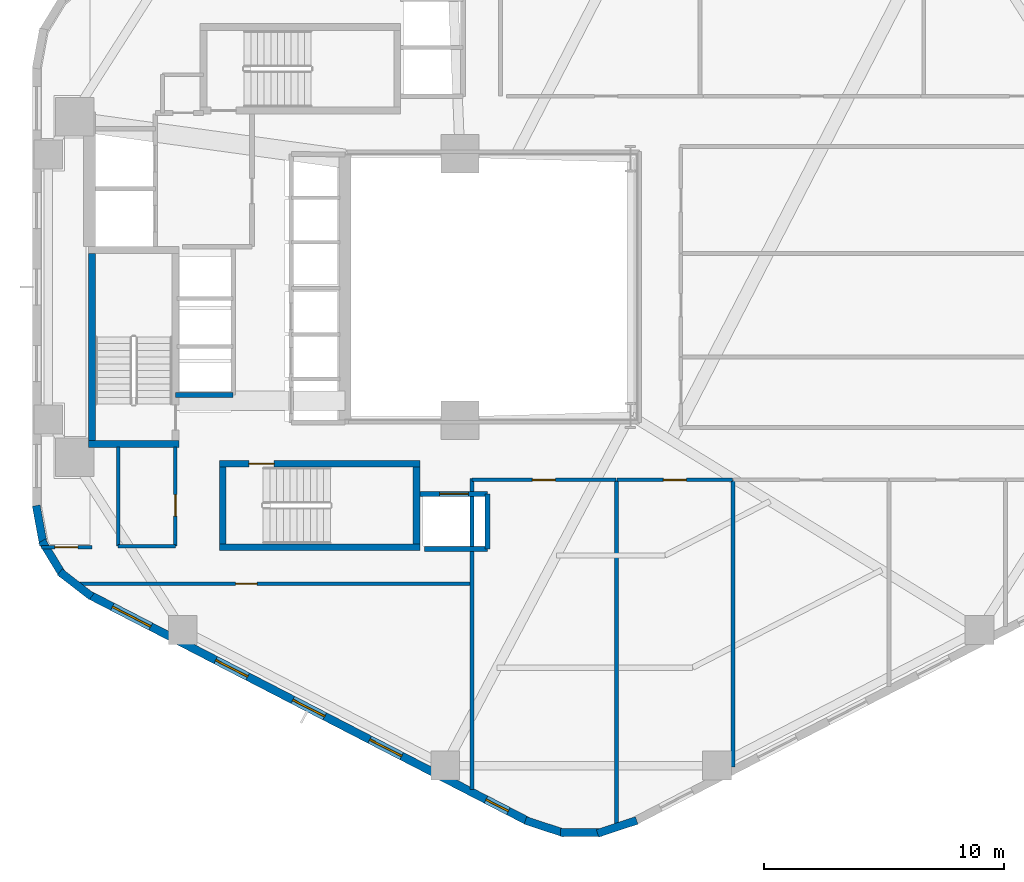
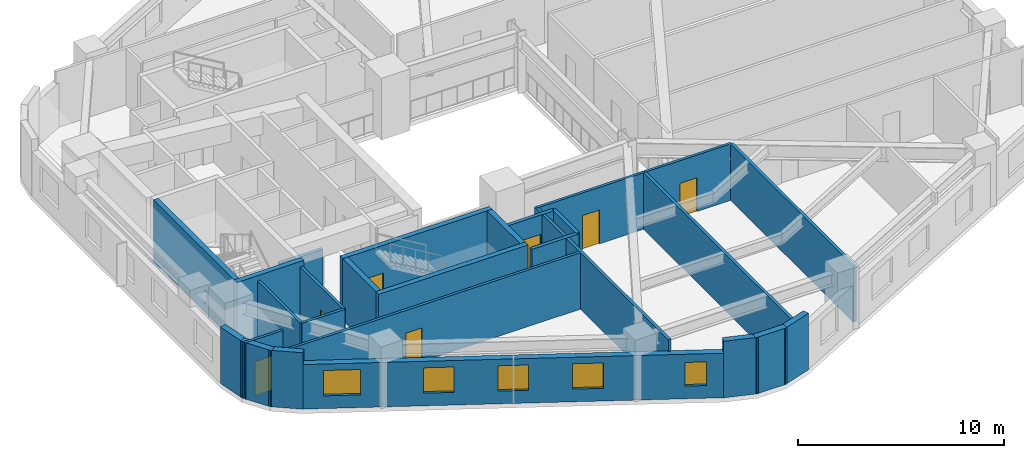
# One storey, part 2 of 6: 27 walls, 7 doors, 5 windows, 12 openings.
"""IFC4 building model written with IfcOpenShell, lengths in metres."""

from ifc_helpers import new_model, si_unit, direction, frame, frame_2d, origin, place, context, subcontext, project, spatial, rectangle, extrude, material, layer, layer_set, type_object, element, fill, save


model = new_model("IFC4")

# Units and contexts
model_context = context("Model", 3, precision=1e-05, world=origin(), true_north=direction((0.0, 1.0)))
body_context = subcontext(model_context, "Body", "Model", "MODEL_VIEW")
ifc_project = project(units=[si_unit("LENGTHUNIT", "METRE"), si_unit("AREAUNIT", "SQUARE_METRE"), si_unit("VOLUMEUNIT", "CUBIC_METRE"), si_unit("PLANEANGLEUNIT", "RADIAN"), si_unit("MASSUNIT", "GRAM", prefix="KILO"), si_unit("THERMODYNAMICTEMPERATUREUNIT", "KELVIN"), si_unit("POWERUNIT", "WATT")], contexts=[model_context])

# Site, building, storey
site_placement = place(None, origin())
site = spatial("IfcSite", under=ifc_project, at=site_placement, CompositionType="ELEMENT")
building_placement = place(site_placement, origin())
building = spatial("IfcBuilding", under=site, at=building_placement, Name="Skarre Station Tower", CompositionType="ELEMENT")
storey_placement = place(building_placement, frame((0.0, 0.0, 92.699951171875)))
storey = spatial("IfcBuildingStorey", under=building, at=storey_placement, Name="L24", CompositionType="ELEMENT", Elevation=92.699951171875)

# Walls
ifc_material_1 = material(Name="Acoustic Steel-Stud Gypsum Partition", Category="steel")
ifc_layer_1 = layer(ifc_material_1, 0.14990234375, Name="Acoustic Steel-Stud Gypsum Partition")
ifc_layer_set_1 = layer_set([ifc_layer_1], Name="Acoustic Steel-Stud Gypsum Partition")
wall_type_1 = type_object("IfcWallType", Name="Fire-Rated Corridor Acoustic Partition 150", PredefinedType="PARTITIONING", material=ifc_layer_set_1)
wall_1_placement = place(storey_placement, frame((18.10009765625, 17.340087890625, 0.0), z_axis=(0.0, 0.0, 1.0), x_axis=(0.0, -1.0, 0.0)))
element("IfcWall", 1, at=wall_1_placement, inside=storey, type_object=wall_type_1, Name="L24 Interior Partition WL-PT-L24-CSVC-W", PredefinedType="PARTITIONING", context=body_context, shape_type="SweptSolid", body=[
    extrude(rectangle(XDim=4.14013671875, YDim=0.14990234375, at=frame_2d((2.070068359375, 0.0))), origin(), (0.0, 0.0, 1.0), 3.340087890625),
])
wall_2_placement = place(storey_placement, frame((18.10009765625, 13.199951171875, 0.0), z_axis=(0.0, 0.0, 1.0), x_axis=(1.0, 0.0, 0.0)))
element("IfcWall", 2, at=wall_2_placement, inside=storey, type_object=wall_type_1, Name="L24 Interior Partition WL-PT-L24-CSVC-S", PredefinedType="PARTITIONING", context=body_context, shape_type="SweptSolid", body=[
    extrude(rectangle(XDim=2.389892578125, YDim=0.14990234375, at=frame_2d((1.19482421875, 0.0))), origin(), (0.0, 0.0, 1.0), 3.340087890625),
])

# Wall, opening, door
wall_3_placement = place(storey_placement, frame((20.489990234375, 13.199951171875, 0.0), z_axis=(0.0, 0.0, 1.0), x_axis=(0.0, 1.0, 0.0)))
wall_3 = element("IfcWall", 3, at=wall_3_placement, inside=storey, type_object=wall_type_1, Name="L24 Interior Partition WL-PT-L24-CSVC-E", PredefinedType="PARTITIONING", context=body_context, shape_type="SweptSolid", body=[
    extrude(rectangle(XDim=4.14013671875, YDim=0.14990234375, at=frame_2d((2.070068359375, 0.0))), origin(), (0.0, 0.0, 1.0), 3.340087890625),
])
opening_1_placement = place(wall_3_placement, frame((1.25, 0.0, 0.0)))
opening_1 = element("IfcOpeningElement", 4, at=opening_1_placement, cuts=wall_3, Name="Opening DR-SVC90", PredefinedType="OPENING", context=body_context, shape_type="SweptSolid", body=[
    extrude(rectangle(XDim=0.89990234375, YDim=2.0, at=frame_2d((0.449951171875, 1.0))), frame((0.0, 0.0849609375, 0.0), z_axis=(0.0, -1.0, 0.0), x_axis=(1.0, 0.0, 0.0)), (0.0, 0.0, 1.0), 0.169921875),
])
ifc_material_2 = material(Name="Powder-Coated Hollow-Metal Acoustic Fire Leaf", Category="steel")
door_type_1 = type_object("IfcDoorType", Name="Service & Riser Fire Door FD60 900x2100", OperationType="SINGLE_SWING_LEFT", PredefinedType="DOOR", material=ifc_material_2)
door_1_placement = place(opening_1_placement, origin())
door_1 = element("IfcDoor", 5, at=door_1_placement, inside=storey, type_object=door_type_1, Name="L24 Core Pantry Door", OperationType="SINGLE_SWING_LEFT", OverallHeight=2.0, OverallWidth=0.89990234375, PredefinedType="DOOR", context=body_context, shape_type="SweptSolid", body=[
    extrude(rectangle(XDim=0.89990234375, YDim=2.0, at=frame_2d((0.449951171875, 1.0))), frame((0.0, 0.02490234375, 0.0), z_axis=(0.0, -1.0, 0.0), x_axis=(1.0, 0.0, 0.0)), (0.0, 0.0, 1.0), 0.050048828125),
])
fill(opening_1, door_1)

wall_4_placement = place(storey_placement, frame((16.487060546875, 11.639892578125, 0.0), z_axis=(0.0, 0.0, 1.0), x_axis=(1.0, 0.0, 0.0)))
wall_4 = element("IfcWall", 6, at=wall_4_placement, inside=storey, type_object=wall_type_1, Name="L24 Interior Partition WL-PT-L24-SWP-N", PredefinedType="PARTITIONING", context=body_context, shape_type="SweptSolid", body=[
    extrude(rectangle(XDim=16.363037109375, YDim=0.14990234375, at=frame_2d((8.181640625, 0.0))), origin(), (0.0, 0.0, 1.0), 3.340087890625),
])
opening_2_placement = place(wall_4_placement, frame((6.512939453125, 0.0, 0.0)))
opening_2 = element("IfcOpeningElement", 7, at=opening_2_placement, cuts=wall_4, Name="Opening DR-SVC90", PredefinedType="OPENING", context=body_context, shape_type="SweptSolid", body=[
    extrude(rectangle(XDim=0.89990234375, YDim=2.0, at=frame_2d((0.449951171875, 1.0))), frame((0.0, 0.0849609375, 0.0), z_axis=(0.0, -1.0, 0.0), x_axis=(1.0, 0.0, 0.0)), (0.0, 0.0, 1.0), 0.169921875),
])
door_2_placement = place(opening_2_placement, origin())
door_2 = element("IfcDoor", 8, at=door_2_placement, inside=storey, type_object=door_type_1, Name="L24 Floor Public Toilets Door", OperationType="SINGLE_SWING_LEFT", OverallHeight=2.0, OverallWidth=0.89990234375, PredefinedType="DOOR", context=body_context, shape_type="SweptSolid", body=[
    extrude(rectangle(XDim=0.89990234375, YDim=2.0, at=frame_2d((0.449951171875, 1.0))), frame((0.0, 0.02490234375, 0.0), z_axis=(0.0, -1.0, 0.0), x_axis=(1.0, 0.0, 0.0)), (0.0, 0.0, 1.0), 0.050048828125),
])
fill(opening_2, door_2)

wall_5_placement = place(storey_placement, frame((17.02001953125, 13.159912109375, 0.0), z_axis=(0.0, 0.0, 1.0), x_axis=(-1.0, 0.0, 0.0)))
wall_5 = element("IfcWall", 9, at=wall_5_placement, inside=storey, type_object=wall_type_1, Name="L24 Interior Partition WL-PT-L24-WW1-CW", PredefinedType="PARTITIONING", context=body_context, shape_type="SweptSolid", body=[
    extrude(rectangle(XDim=2.1201171875, YDim=0.14990234375, at=frame_2d((1.06005859375, 0.0))), origin(), (0.0, 0.0, 1.0), 3.340087890625),
])
opening_3_placement = place(wall_5_placement, frame((0.596923828125, 0.0, 0.0)))
opening_3 = element("IfcOpeningElement", 10, at=opening_3_placement, cuts=wall_5, Name="Opening DR-FD60", PredefinedType="OPENING", context=body_context, shape_type="SweptSolid", body=[
    extrude(rectangle(XDim=0.9599609375, YDim=2.0, at=frame_2d((0.47998046875, 1.0))), frame((0.0, 0.0849609375, 0.0), z_axis=(0.0, -1.0, 0.0), x_axis=(1.0, 0.0, 0.0)), (0.0, 0.0, 1.0), 0.169921875),
])
ifc_material_3 = material(Name="Nordic White-Oak Veneer Solid-Core Fire Leaf", Category="wood")
door_type_2 = type_object("IfcDoorType", Name="Corridor Suite Entry Fire Door FD60 960x2150", OperationType="SINGLE_SWING_LEFT", PredefinedType="DOOR", material=ifc_material_3)
door_3_placement = place(opening_3_placement, origin())
door_3 = element("IfcDoor", 11, at=door_3_placement, inside=storey, type_object=door_type_2, Name="L24 WW1 Entry Door", OperationType="SINGLE_SWING_LEFT", OverallHeight=2.0, OverallWidth=0.9599609375, PredefinedType="DOOR", context=body_context, shape_type="SweptSolid", body=[
    extrude(rectangle(XDim=0.9599609375, YDim=2.0, at=frame_2d((0.47998046875, 1.0))), frame((0.0, 0.02490234375, 0.0), z_axis=(0.0, -1.0, 0.0), x_axis=(1.0, 0.0, 0.0)), (0.0, 0.0, 1.0), 0.050048828125),
])
fill(opening_3, door_3)

wall_6_placement = place(storey_placement, frame((32.85009765625, 15.9599609375, 0.0), z_axis=(0.0, 0.0, 1.0), x_axis=(1.0, 0.0, 0.0)))
wall_6 = element("IfcWall", 12, at=wall_6_placement, inside=storey, type_object=wall_type_1, Name="L24 Interior Partition WL-PT-L24-SW1-CW", PredefinedType="PARTITIONING", context=body_context, shape_type="SweptSolid", body=[
    extrude(rectangle(XDim=6.0009765625, YDim=0.14990234375, at=frame_2d((3.00048828125, 0.0))), origin(), (0.0, 0.0, 1.0), 3.340087890625),
])
opening_4_placement = place(wall_6_placement, frame((2.52099609375, 0.0, 0.0)))
opening_4 = element("IfcOpeningElement", 13, at=opening_4_placement, cuts=wall_6, Name="Opening DR-FD60", PredefinedType="OPENING", context=body_context, shape_type="SweptSolid", body=[
    extrude(rectangle(XDim=0.9599609375, YDim=2.0, at=frame_2d((0.47998046875, 1.0))), frame((0.0, 0.0849609375, 0.0), z_axis=(0.0, -1.0, 0.0), x_axis=(1.0, 0.0, 0.0)), (0.0, 0.0, 1.0), 0.169921875),
])
door_4_placement = place(opening_4_placement, origin())
door_4 = element("IfcDoor", 14, at=door_4_placement, inside=storey, type_object=door_type_2, Name="L24 SW1 Entry Door", OperationType="SINGLE_SWING_LEFT", OverallHeight=2.0, OverallWidth=0.9599609375, PredefinedType="DOOR", context=body_context, shape_type="SweptSolid", body=[
    extrude(rectangle(XDim=0.9599609375, YDim=2.0, at=frame_2d((0.47998046875, 1.0))), frame((0.0, 0.02490234375, 0.0), z_axis=(0.0, -1.0, 0.0), x_axis=(1.0, 0.0, 0.0)), (0.0, 0.0, 1.0), 0.050048828125),
])
fill(opening_4, door_4)

wall_7_placement = place(storey_placement, frame((38.886962890625, 15.9599609375, 0.0), z_axis=(0.0, 0.0, 1.0), x_axis=(1.0, 0.0, 0.0)))
wall_7 = element("IfcWall", 15, at=wall_7_placement, inside=storey, type_object=wall_type_1, Name="L24 Interior Partition WL-PT-L24-SW2-CW", PredefinedType="PARTITIONING", context=body_context, shape_type="SweptSolid", body=[
    extrude(rectangle(XDim=4.83203125, YDim=0.14990234375, at=frame_2d((2.416015625, 0.0))), origin(), (0.0, 0.0, 1.0), 3.340087890625),
])
opening_5_placement = place(wall_7_placement, frame((1.93603515625, 0.0, 0.0)))
opening_5 = element("IfcOpeningElement", 16, at=opening_5_placement, cuts=wall_7, Name="Opening DR-FD60", PredefinedType="OPENING", context=body_context, shape_type="SweptSolid", body=[
    extrude(rectangle(XDim=0.9599609375, YDim=2.0, at=frame_2d((0.47998046875, 1.0))), frame((0.0, 0.0849609375, 0.0), z_axis=(0.0, -1.0, 0.0), x_axis=(1.0, 0.0, 0.0)), (0.0, 0.0, 1.0), 0.169921875),
])
door_5_placement = place(opening_5_placement, origin())
door_5 = element("IfcDoor", 17, at=door_5_placement, inside=storey, type_object=door_type_2, Name="L24 SW2 Entry Door", OperationType="SINGLE_SWING_LEFT", OverallHeight=2.0, OverallWidth=0.9599609375, PredefinedType="DOOR", context=body_context, shape_type="SweptSolid", body=[
    extrude(rectangle(XDim=0.9599609375, YDim=2.0, at=frame_2d((0.47998046875, 1.0))), frame((0.0, 0.02490234375, 0.0), z_axis=(0.0, -1.0, 0.0), x_axis=(1.0, 0.0, 0.0)), (0.0, 0.0, 1.0), 0.050048828125),
])
fill(opening_5, door_5)

# Wall, openings, windows
ifc_material_4 = material(Name="Precast concrete C45/55", Category="concrete")
ifc_layer_2 = layer(ifc_material_4, 0.340087890625, Name="Precast concrete C45/55")
ifc_layer_set_2 = layer_set([ifc_layer_2], Name="Precast concrete C45/55")
wall_type_2 = type_object("IfcWallType", Name="Nordic Honed Precast Facet Wall 340", PredefinedType="STANDARD", material=ifc_layer_set_2)
wall_8_placement = place(storey_placement, frame((35.1689453125, 1.742919921875, 0.0), z_axis=(0.0, 0.0, 1.0), x_axis=(-0.888634413993, 0.458616264721, 0.0)))
wall_8 = element("IfcWall", 18, at=wall_8_placement, inside=storey, type_object=wall_type_2, Name="L24 Facet 3 Nordic Precast Masonry Wall", PredefinedType="STANDARD", context=body_context, shape_type="SweptSolid", body=[
    extrude(rectangle(XDim=20.53125, YDim=0.340087890625, at=frame_2d((10.265625, 0.0))), origin(), (0.0, 0.0, 1.0), 2.634033203125),
])
opening_6_placement = place(wall_8_placement, frame((0.902099609375, 0.0, 0.75)))
opening_6 = element("IfcOpeningElement", 19, at=opening_6_placement, cuts=wall_8, Name="Opening WN-SLT", PredefinedType="OPENING", context=body_context, shape_type="SweptSolid", body=[
    extrude(rectangle(XDim=1.050048828125, YDim=1.39990234375, at=frame_2d((0.52490234375, 0.699951171875))), frame((0.0, 0.179931640625, 0.0), z_axis=(0.0, -1.0, 0.0), x_axis=(1.0, 0.0, 0.0)), (0.0, 0.0, 1.0), 0.360107421875),
])
opening_7_placement = place(wall_8_placement, frame((5.903076171875, 0.0, 0.75)))
opening_7 = element("IfcOpeningElement", 20, at=opening_7_placement, cuts=wall_8, Name="Opening WN-Z1B", PredefinedType="OPENING", context=body_context, shape_type="SweptSolid", body=[
    extrude(rectangle(XDim=1.5, YDim=1.5, at=frame_2d((0.75, 0.75))), frame((0.0, 0.179931640625, 0.0), z_axis=(0.0, -1.0, 0.0), x_axis=(1.0, 0.0, 0.0)), (0.0, 0.0, 1.0), 0.360107421875),
])
opening_8_placement = place(wall_8_placement, frame((9.51611328125, 0.0, 0.75)))
opening_8 = element("IfcOpeningElement", 21, at=opening_8_placement, cuts=wall_8, Name="Opening WN-Z1B", PredefinedType="OPENING", context=body_context, shape_type="SweptSolid", body=[
    extrude(rectangle(XDim=1.5, YDim=1.5, at=frame_2d((0.75, 0.75))), frame((0.0, 0.179931640625, 0.0), z_axis=(0.0, -1.0, 0.0), x_axis=(1.0, 0.0, 0.0)), (0.0, 0.0, 1.0), 0.360107421875),
])
opening_9_placement = place(wall_8_placement, frame((13.12890625, 0.0, 0.75)))
opening_9 = element("IfcOpeningElement", 22, at=opening_9_placement, cuts=wall_8, Name="Opening WN-Z1B", PredefinedType="OPENING", context=body_context, shape_type="SweptSolid", body=[
    extrude(rectangle(XDim=1.5, YDim=1.5, at=frame_2d((0.75, 0.75))), frame((0.0, 0.179931640625, 0.0), z_axis=(0.0, -1.0, 0.0), x_axis=(1.0, 0.0, 0.0)), (0.0, 0.0, 1.0), 0.360107421875),
])
opening_10_placement = place(wall_8_placement, frame((17.673095703125, 0.0, 0.75)))
opening_10 = element("IfcOpeningElement", 23, at=opening_10_placement, cuts=wall_8, Name="Opening WN-Z1A", PredefinedType="OPENING", context=body_context, shape_type="SweptSolid", body=[
    extrude(rectangle(XDim=1.800048828125, YDim=1.5, at=frame_2d((0.89990234375, 0.75))), frame((0.0, 0.179931640625, 0.0), z_axis=(0.0, -1.0, 0.0), x_axis=(1.0, 0.0, 0.0)), (0.0, 0.0, 1.0), 0.360107421875),
])
ifc_material_5 = material(Name="Low-Iron Triple Glazing with Bronze Anodized Frame", Category="glass")
window_type_1 = type_object("IfcWindowType", Name="Nordic Corner Slot Window 1050x1400", PartitioningType="SINGLE_PANEL", PredefinedType="WINDOW", material=ifc_material_5)
window_1_placement = place(opening_6_placement, origin())
window_1 = element("IfcWindow", 24, at=window_1_placement, inside=storey, type_object=window_type_1, Name="L24 Facade Window WL-FAC-L24-F3-1", OverallHeight=1.39990234375, OverallWidth=1.050048828125, PartitioningType="SINGLE_PANEL", PredefinedType="WINDOW", context=body_context, shape_type="SweptSolid", body=[
    extrude(rectangle(XDim=1.050048828125, YDim=1.39990234375, at=frame_2d((0.52490234375, 0.699951171875))), frame((0.0, 0.030029296875, 0.0), z_axis=(0.0, -1.0, 0.0), x_axis=(1.0, 0.0, 0.0)), (0.0, 0.0, 1.0), 0.06005859375),
])
fill(opening_6, window_1)
window_type_2 = type_object("IfcWindowType", Name="Nordic Punched Triple-Glazed Window 1500x1500", PartitioningType="SINGLE_PANEL", PredefinedType="WINDOW", material=ifc_material_5)
window_2_placement = place(opening_7_placement, origin())
window_2 = element("IfcWindow", 25, at=window_2_placement, inside=storey, type_object=window_type_2, Name="L24 Facade Window WL-FAC-L24-F3-2", OverallHeight=1.5, OverallWidth=1.5, PartitioningType="SINGLE_PANEL", PredefinedType="WINDOW", context=body_context, shape_type="SweptSolid", body=[
    extrude(rectangle(XDim=1.5, YDim=1.5, at=frame_2d((0.75, 0.75))), frame((0.0, 0.030029296875, 0.0), z_axis=(0.0, -1.0, 0.0), x_axis=(1.0, 0.0, 0.0)), (0.0, 0.0, 1.0), 0.06005859375),
])
fill(opening_7, window_2)
window_3_placement = place(opening_8_placement, origin())
window_3 = element("IfcWindow", 26, at=window_3_placement, inside=storey, type_object=window_type_2, Name="L24 Facade Window WL-FAC-L24-F3-3", OverallHeight=1.5, OverallWidth=1.5, PartitioningType="SINGLE_PANEL", PredefinedType="WINDOW", context=body_context, shape_type="SweptSolid", body=[
    extrude(rectangle(XDim=1.5, YDim=1.5, at=frame_2d((0.75, 0.75))), frame((0.0, 0.030029296875, 0.0), z_axis=(0.0, -1.0, 0.0), x_axis=(1.0, 0.0, 0.0)), (0.0, 0.0, 1.0), 0.06005859375),
])
fill(opening_8, window_3)
window_4_placement = place(opening_9_placement, origin())
window_4 = element("IfcWindow", 27, at=window_4_placement, inside=storey, type_object=window_type_2, Name="L24 Facade Window WL-FAC-L24-F3-4", OverallHeight=1.5, OverallWidth=1.5, PartitioningType="SINGLE_PANEL", PredefinedType="WINDOW", context=body_context, shape_type="SweptSolid", body=[
    extrude(rectangle(XDim=1.5, YDim=1.5, at=frame_2d((0.75, 0.75))), frame((0.0, 0.030029296875, 0.0), z_axis=(0.0, -1.0, 0.0), x_axis=(1.0, 0.0, 0.0)), (0.0, 0.0, 1.0), 0.06005859375),
])
fill(opening_9, window_4)
window_type_3 = type_object("IfcWindowType", Name="Nordic Punched Triple-Glazed Window 1800x1500", PartitioningType="SINGLE_PANEL", PredefinedType="WINDOW", material=ifc_material_5)
window_5_placement = place(opening_10_placement, origin())
window_5 = element("IfcWindow", 28, at=window_5_placement, inside=storey, type_object=window_type_3, Name="L24 Facade Window WL-FAC-L24-F3-5", OverallHeight=1.5, OverallWidth=1.800048828125, PartitioningType="SINGLE_PANEL", PredefinedType="WINDOW", context=body_context, shape_type="SweptSolid", body=[
    extrude(rectangle(XDim=1.800048828125, YDim=1.5, at=frame_2d((0.89990234375, 0.75))), frame((0.0, 0.030029296875, 0.0), z_axis=(0.0, -1.0, 0.0), x_axis=(1.0, 0.0, 0.0)), (0.0, 0.0, 1.0), 0.06005859375),
])
fill(opening_10, window_5)

# Walls
ifc_layer_3 = layer(ifc_material_4, 0.330078125, Name="Precast concrete C45/55")
ifc_layer_set_3 = layer_set([ifc_layer_3], Name="Precast concrete C45/55")
wall_type_3 = type_object("IfcWallType", Name="Nordic Rounded Corner Precast Wall 330", PredefinedType="STANDARD", material=ifc_layer_set_3)
wall_9_placement = place(storey_placement, frame((16.998046875, 11.09912109375, 0.0), z_axis=(0.0, 0.0, 1.0), x_axis=(-0.790691856293, 0.61221433207, 0.0)))
element("IfcWall", 29, at=wall_9_placement, inside=storey, type_object=wall_type_3, Name="L24 Rounded Corner Precast Wall F3-1", PredefinedType="STANDARD", context=body_context, shape_type="SweptSolid", body=[
    extrude(rectangle(XDim=1.67578125, YDim=0.330078125, at=frame_2d((0.837890625, 0.0))), origin(), (0.0, 0.0, 1.0), 3.340087890625),
])
wall_10_placement = place(storey_placement, frame((15.798095703125, 11.985107421875, 0.0), z_axis=(0.0, 0.0, 1.0), x_axis=(-0.520584129191, 0.853810379671, 0.0)))
element("IfcWall", 30, at=wall_10_placement, inside=storey, type_object=wall_type_3, Name="L24 Rounded Corner Precast Wall F3-2", PredefinedType="STANDARD", context=body_context, shape_type="SweptSolid", body=[
    extrude(rectangle(XDim=1.677001953125, YDim=0.330078125, at=frame_2d((0.83837890625, 0.0))), origin(), (0.0, 0.0, 1.0), 3.340087890625),
])
wall_11_placement = place(storey_placement, frame((14.991943359375, 13.241943359375, 0.0), z_axis=(0.0, 0.0, 1.0), x_axis=(-0.181714143354, 0.983351397063, 0.0)))
element("IfcWall", 31, at=wall_11_placement, inside=storey, type_object=wall_type_3, Name="L24 Rounded Corner Precast Wall F3-3", PredefinedType="STANDARD", context=body_context, shape_type="SweptSolid", body=[
    extrude(rectangle(XDim=1.677978515625, YDim=0.330078125, at=frame_2d((0.8388671875, 0.0))), origin(), (0.0, 0.0, 1.0), 3.340087890625),
])
wall_12_placement = place(storey_placement, frame((39.718994140625, 1.76904296875, 0.0), z_axis=(0.0, 0.0, 1.0), x_axis=(-0.94976901097, -0.312951794691, 0.0)))
element("IfcWall", 32, at=wall_12_placement, inside=storey, type_object=wall_type_3, Name="L24 Rounded Corner Precast Wall F4-1", PredefinedType="STANDARD", context=body_context, shape_type="SweptSolid", body=[
    extrude(rectangle(XDim=1.722412109375, YDim=0.330078125, at=frame_2d((0.861328125, 0.0))), origin(), (0.0, 0.0, 1.0), 3.340087890625),
])
wall_13_placement = place(storey_placement, frame((38.260986328125, 1.259033203125, 0.0), z_axis=(0.0, 0.0, 1.0), x_axis=(-1.0, 0.0, 0.0)))
element("IfcWall", 33, at=wall_13_placement, inside=storey, type_object=wall_type_3, Name="L24 Rounded Corner Precast Wall F4-2", PredefinedType="STANDARD", context=body_context, shape_type="SweptSolid", body=[
    extrude(rectangle(XDim=1.721923828125, YDim=0.330078125, at=frame_2d((0.86083984375, 0.0))), origin(), (0.0, 0.0, 1.0), 3.340087890625),
])
wall_14_placement = place(storey_placement, frame((36.717041015625, 1.22998046875, 0.0), z_axis=(0.0, 0.0, 1.0), x_axis=(-0.94976901097, 0.312951794691, 0.0)))
element("IfcWall", 34, at=wall_14_placement, inside=storey, type_object=wall_type_3, Name="L24 Rounded Corner Precast Wall F4-3", PredefinedType="STANDARD", context=body_context, shape_type="SweptSolid", body=[
    extrude(rectangle(XDim=1.722412109375, YDim=0.330078125, at=frame_2d((0.861328125, 0.0))), origin(), (0.0, 0.0, 1.0), 3.340087890625),
])
ifc_material_6 = material(Name="Concrete C50/60", Category="concrete")
ifc_layer_4 = layer(ifc_material_6, 0.280029296875, Name="Concrete C50/60")
ifc_layer_set_4 = layer_set([ifc_layer_4], Name="Concrete C50/60")
wall_type_4 = type_object("IfcWallType", Name="RC Core Shear Wall 280", PredefinedType="SHEAR", material=ifc_layer_set_4)
wall_15_placement = place(storey_placement, frame((16.8701171875, 17.4599609375, 0.0), z_axis=(0.0, 0.0, 1.0), x_axis=(1.0, 0.0, 0.0)))
element("IfcWall", 35, at=wall_15_placement, inside=storey, type_object=wall_type_4, Name="L24 Stair ST-1 South Shear Wall", PredefinedType="SHEAR", context=body_context, shape_type="SweptSolid", body=[
    extrude(rectangle(XDim=3.759765625, YDim=0.280029296875, at=frame_2d((1.8798828125, 0.0))), origin(), (0.0, 0.0, 1.0), 3.650146484375),
])
wall_16_placement = place(storey_placement, frame((17.010009765625, 25.39990234375, 0.0), z_axis=(0.0, 0.0, 1.0), x_axis=(0.0, -1.0, 0.0)))
element("IfcWall", 36, at=wall_16_placement, inside=storey, type_object=wall_type_4, Name="L24 Stair ST-1 West Shear Wall", PredefinedType="SHEAR", context=body_context, shape_type="SweptSolid", body=[
    extrude(rectangle(XDim=7.7998046875, YDim=0.280029296875, at=frame_2d((3.89990234375, 0.0))), origin(), (0.0, 0.0, 1.0), 3.650146484375),
])
wall_17_placement = place(storey_placement, frame((22.320068359375, 13.159912109375, 0.0), z_axis=(0.0, 0.0, 1.0), x_axis=(1.0, 0.0, 0.0)))
element("IfcWall", 37, at=wall_17_placement, inside=storey, type_object=wall_type_4, Name="L24 Stair ST-2 South Shear Wall", PredefinedType="SHEAR", context=body_context, shape_type="SweptSolid", body=[
    extrude(rectangle(XDim=8.35986328125, YDim=0.280029296875, at=frame_2d((4.179931640625, 0.0))), origin(), (0.0, 0.0, 1.0), 3.650146484375),
])

# Wall, opening, door
wall_18_placement = place(storey_placement, frame((30.679931640625, 16.639892578125, 0.0), z_axis=(0.0, 0.0, 1.0), x_axis=(-1.0, 0.0, 0.0)))
wall_18 = element("IfcWall", 38, at=wall_18_placement, inside=storey, type_object=wall_type_4, Name="L24 Stair ST-2 North Shear Wall", PredefinedType="SHEAR", context=body_context, shape_type="SweptSolid", body=[
    extrude(rectangle(XDim=8.35986328125, YDim=0.280029296875, at=frame_2d((4.179931640625, 0.0))), origin(), (0.0, 0.0, 1.0), 3.650146484375),
])
opening_11_placement = place(wall_18_placement, frame((6.080078125, 0.0, 0.0)))
opening_11 = element("IfcOpeningElement", 39, at=opening_11_placement, cuts=wall_18, Name="Opening DR-FD90", PredefinedType="OPENING", context=body_context, shape_type="SweptSolid", body=[
    extrude(rectangle(XDim=1.050048828125, YDim=2.0, at=frame_2d((0.52490234375, 1.0))), frame((0.0, 0.14990234375, 0.0), z_axis=(0.0, -1.0, 0.0), x_axis=(1.0, 0.0, 0.0)), (0.0, 0.0, 1.0), 0.300048828125),
])
ifc_material_7 = material(Name="Fire-Rated Insulated Steel Frame & Timber Core Leaf", Category="steel")
door_type_3 = type_object("IfcDoorType", Name="Stair & FSAE Lobby Fire Door FD90 1050x2150", OperationType="SINGLE_SWING_RIGHT", PredefinedType="DOOR", material=ifc_material_7)
door_6_placement = place(opening_11_placement, origin())
door_6 = element("IfcDoor", 40, at=door_6_placement, inside=storey, type_object=door_type_3, Name="L24 Stair ST-2 Exit Door", OperationType="SINGLE_SWING_RIGHT", OverallHeight=2.0, OverallWidth=1.050048828125, PredefinedType="DOOR", context=body_context, shape_type="SweptSolid", body=[
    extrude(rectangle(XDim=1.050048828125, YDim=2.0, at=frame_2d((0.52490234375, 1.0))), frame((0.0, 0.02490234375, 0.0), z_axis=(0.0, -1.0, 0.0), x_axis=(1.0, 0.0, 0.0)), (0.0, 0.0, 1.0), 0.050048828125),
])
fill(opening_11, door_6)

# Walls
for number, where, z_axis, x_axis, name in (
    (41, (22.4599609375, 16.5, 0.0), (0.0, 0.0, 1.0), (0.0, -1.0, 0.0), "L24 Stair ST-2 West Shear Wall"),
    (42, (30.5400390625, 13.300048828125, 0.0), (0.0, 0.0, 1.0), (0.0, 1.0, 0.0), "L24 Stair ST-2 East Shear Wall"),
):
    element("IfcWall", number, at=place(storey_placement, frame(where, z_axis=z_axis, x_axis=x_axis)), inside=storey, type_object=wall_type_4, Name=name, PredefinedType="SHEAR", context=body_context, shape_type="SweptSolid", body=[
        extrude(rectangle(XDim=3.199951171875, YDim=0.280029296875, at=frame_2d((1.60009765625, 0.0))), origin(), (0.0, 0.0, 1.0), 3.650146484375),
    ])

# Wall, opening, door
ifc_material_8 = material(Name="Gypsum Concrete Shaft Assembly C30/37", Category="concrete")
ifc_layer_5 = layer(ifc_material_8, 0.199951171875, Name="Gypsum Concrete Shaft Assembly C30/37")
ifc_layer_set_5 = layer_set([ifc_layer_5], Name="Gypsum Concrete Shaft Assembly C30/37")
wall_type_5 = type_object("IfcWallType", Name="Shaft & Core Fire Partition 200", PredefinedType="PARTITIONING", material=ifc_layer_set_5)
wall_19_placement = place(storey_placement, frame((33.5, 15.3798828125, 0.0), z_axis=(0.0, 0.0, 1.0), x_axis=(-1.0, 0.0, 0.0)))
wall_19 = element("IfcWall", 43, at=wall_19_placement, inside=storey, type_object=wall_type_5, Name="L24 Interior Partition WL-PT-L24-SV1-N", PredefinedType="PARTITIONING", context=body_context, shape_type="SweptSolid", body=[
    extrude(rectangle(XDim=2.820068359375, YDim=0.199951171875, at=frame_2d((1.41015625, 0.0))), origin(), (0.0, 0.0, 1.0), 3.340087890625),
])
opening_12_placement = place(wall_19_placement, frame((0.800048828125, 0.0, 0.0)))
opening_12 = element("IfcOpeningElement", 44, at=opening_12_placement, cuts=wall_19, Name="Opening LD-SV1", PredefinedType="OPENING", context=body_context, shape_type="SweptSolid", body=[
    extrude(rectangle(XDim=1.199951171875, YDim=2.199951171875, at=frame_2d((0.60009765625, 1.10009765625))), frame((0.0, 0.10986328125, 0.0), z_axis=(0.0, -1.0, 0.0), x_axis=(1.0, 0.0, 0.0)), (0.0, 0.0, 1.0), 0.219970703125),
])
ifc_material_9 = material(Name="Heavy-Gauge Brushed Stainless Steel Sliding Leaves", Category="steel")
door_type_4 = type_object("IfcDoorType", Name="Service Elevator Wide Sliding Landing Door 1200x2200", OperationType="SLIDING_TO_RIGHT", PredefinedType="DOOR", material=ifc_material_9)
door_7_placement = place(opening_12_placement, origin())
door_7 = element("IfcDoor", 45, at=door_7_placement, inside=storey, type_object=door_type_4, Name="L24 Service Lift LF-SV1 Landing Door", OperationType="SLIDING_TO_RIGHT", OverallHeight=2.199951171875, OverallWidth=1.199951171875, PredefinedType="DOOR", context=body_context, shape_type="SweptSolid", body=[
    extrude(rectangle(XDim=1.199951171875, YDim=2.199951171875, at=frame_2d((0.60009765625, 1.10009765625))), frame((0.0, 0.02490234375, 0.0), z_axis=(0.0, -1.0, 0.0), x_axis=(1.0, 0.0, 0.0)), (0.0, 0.0, 1.0), 0.050048828125),
])
fill(opening_12, door_7)

# Walls
wall_20_placement = place(storey_placement, frame((33.5, 13.080078125, 0.0), z_axis=(0.0, 0.0, 1.0), x_axis=(0.0, 1.0, 0.0)))
element("IfcWall", 46, at=wall_20_placement, inside=storey, type_object=wall_type_5, Name="L24 Interior Partition WL-PT-L24-SV1-E", PredefinedType="PARTITIONING", context=body_context, shape_type="SweptSolid", body=[
    extrude(rectangle(XDim=2.2998046875, YDim=0.199951171875, at=frame_2d((1.14990234375, 0.0))), origin(), (0.0, 0.0, 1.0), 3.340087890625),
])
wall_21_placement = place(storey_placement, frame((30.87890625, 13.080078125, 0.0), z_axis=(0.0, 0.0, 1.0), x_axis=(1.0, 0.0, 0.0)))
element("IfcWall", 47, at=wall_21_placement, inside=storey, type_object=wall_type_5, Name="L24 Interior Partition WL-PT-L24-SV1-S", PredefinedType="PARTITIONING", context=body_context, shape_type="SweptSolid", body=[
    extrude(rectangle(XDim=2.62109375, YDim=0.199951171875, at=frame_2d((1.310546875, 0.0))), origin(), (0.0, 0.0, 1.0), 3.340087890625),
])
wall_22_placement = place(storey_placement, frame((20.489990234375, 19.5, 0.0), z_axis=(0.0, 0.0, 1.0), x_axis=(1.0, 0.0, 0.0)))
element("IfcWall", 48, at=wall_22_placement, inside=storey, type_object=wall_type_5, Name="L24 Interior Partition WL-PT-L24-B3-S", PredefinedType="PARTITIONING", context=body_context, shape_type="SweptSolid", body=[
    extrude(rectangle(XDim=2.409912109375, YDim=0.199951171875, at=frame_2d((1.205078125, 0.0))), origin(), (0.0, 0.0, 1.0), 2.239990234375),
])
ifc_layer_6 = layer(ifc_material_1, 0.1650390625, Name="Acoustic Steel-Stud Gypsum Partition")
ifc_layer_set_6 = layer_set([ifc_layer_6], Name="Acoustic Steel-Stud Gypsum Partition")
wall_type_6 = type_object("IfcWallType", Name="Suite Demising Acoustic Partition 165", PredefinedType="PARTITIONING", material=ifc_layer_set_6)
wall_23_placement = place(storey_placement, frame((32.85009765625, 3.06396484375, 0.0), z_axis=(0.0, 0.0, 1.0), x_axis=(0.0, 1.0, 0.0)))
element("IfcWall", 49, at=wall_23_placement, inside=storey, type_object=wall_type_6, Name="L24 Interior Partition WL-PT-L24-SWP-E", PredefinedType="PARTITIONING", context=body_context, shape_type="SweptSolid", body=[
    extrude(rectangle(XDim=12.966064453125, YDim=0.1650390625, at=frame_2d((6.48291015625, 0.0))), origin(), (0.0, 0.0, 1.0), 3.340087890625),
])
wall_24_placement = place(storey_placement, frame((38.868896484375, 1.62109375, 0.0), z_axis=(0.0, 0.0, 1.0), x_axis=(0.0, 1.0, 0.0)))
element("IfcWall", 50, at=wall_24_placement, inside=storey, type_object=wall_type_6, Name="L24 Interior Partition WL-PT-L24-SW-P1", PredefinedType="PARTITIONING", context=body_context, shape_type="SweptSolid", body=[
    extrude(rectangle(XDim=14.308837890625, YDim=0.1650390625, at=frame_2d((7.154296875, 0.0))), origin(), (0.0, 0.0, 1.0), 3.340087890625),
])
wall_25_placement = place(storey_placement, frame((43.737060546875, 3.9970703125, 0.0), z_axis=(0.0, 0.0, 1.0), x_axis=(0.0, 1.0, 0.0)))
element("IfcWall", 51, at=wall_25_placement, inside=storey, type_object=wall_type_6, Name="L24 Interior Partition WL-PT-L24-SW-P2", PredefinedType="PARTITIONING", context=body_context, shape_type="SweptSolid", body=[
    extrude(rectangle(XDim=11.932861328125, YDim=0.1650390625, at=frame_2d((5.96630859375, 0.0))), origin(), (0.0, 0.0, 1.0), 3.340087890625),
])

save(model, "model.ifc")
